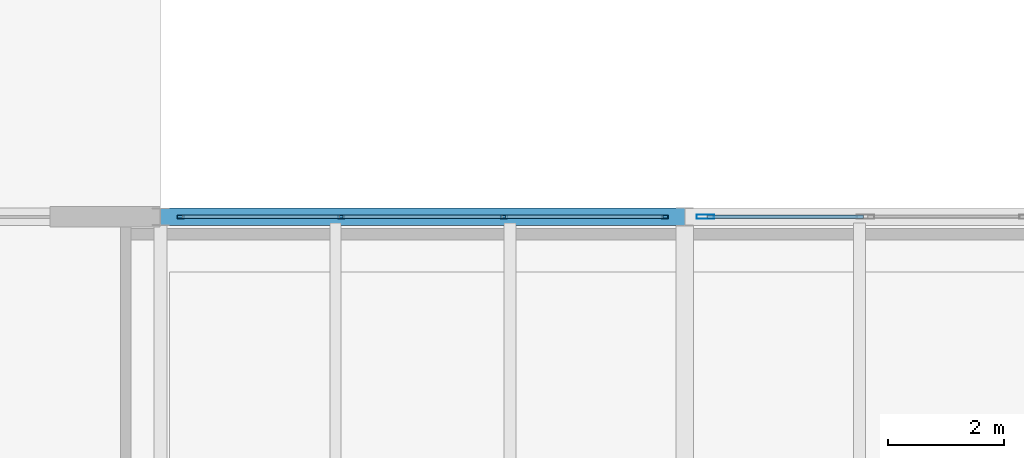
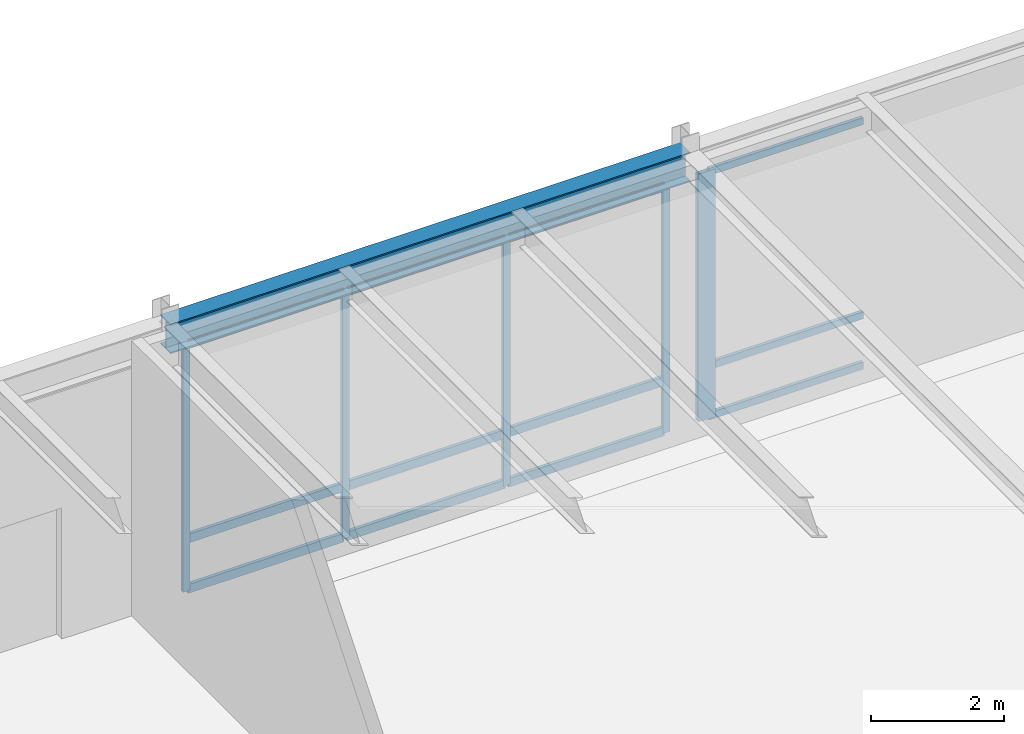
# One storey, part 65 of 143: 17 members, 1 beam, 2 elements without a shape of their own.
"""IFC4 building model written with IfcOpenShell, lengths in metres."""

from ifc_helpers import new_model, si_unit, direction, frame, origin, origin_2d, place, context, subcontext, project, spatial, hollow_rectangle, i_section, extrude, material, layer, layer_set, material_profile, profile_set, type_object, element, aggregate, save


model = new_model("IFC4")

# Units and contexts
model_context = context("Model", 3, precision=1e-05, world=origin(), true_north=direction((0.0, 1.0)))
body_context = subcontext(model_context, "Body", "Model", "MODEL_VIEW")
ifc_project = project(units=[si_unit("LENGTHUNIT", "METRE"), si_unit("AREAUNIT", "SQUARE_METRE"), si_unit("VOLUMEUNIT", "CUBIC_METRE"), si_unit("PLANEANGLEUNIT", "RADIAN"), si_unit("MASSUNIT", "GRAM", prefix="KILO")], contexts=[model_context])

# Site, building, storey
site_placement = place(None, origin())
site = spatial("IfcSite", under=ifc_project, at=site_placement, CompositionType="ELEMENT")
building_placement = place(site_placement, origin())
building = spatial("IfcBuilding", under=site, at=building_placement, Name="Montelvaro Courts of Justice", CompositionType="ELEMENT")
storey_placement = place(building_placement, origin())
storey = spatial("IfcBuildingStorey", under=building, at=storey_placement, Name="L00", CompositionType="ELEMENT", Elevation=0.0)

# Beam
ifc_material_1 = material(Name="Steel S355", Category="steel")
ifc_material_profile_1 = material_profile(ifc_material_1, i_section(OverallWidth=0.300048828125, OverallDepth=0.5400390625, WebThickness=0.012451171875, FlangeThickness=0.02392578125, at=origin_2d()), Name="HEA 550")
ifc_profile_set_1 = profile_set([ifc_material_profile_1], Name="Steel S355")
beam_type = type_object("IfcBeamType", Name="Beam_HEA550", PredefinedType="USERDEFINED", material=ifc_profile_set_1)
beam_placement = place(storey_placement, frame((36.0, 108.0, 4.81005859375), z_axis=(1.0, 0.0, 0.0), x_axis=(0.0, 1.0, 0.0)))
element("IfcBeam", 1, at=beam_placement, inside=storey, type_object=beam_type, Name="Beam B-20 L00", ObjectType="GIRDER", PredefinedType="USERDEFINED", context=body_context, shape_type="SweptSolid", body=[
    extrude(i_section(OverallWidth=0.300048828125, OverallDepth=0.5400390625, WebThickness=0.012451171875, FlangeThickness=0.02392578125, at=origin_2d()), origin(), (0.0, 0.0, 1.0), 9.0),
])

# Curtain wall, members
ifc_material_2 = material(Name="Anodised aluminium EN AW-6063", Category="aluminium")
ifc_layer = layer(ifc_material_2, 0.159912109375)
ifc_layer_set = layer_set([ifc_layer], Name="Anodised aluminium EN AW-6063")
curtain_wall_type = type_object("IfcCurtainWallType", Name="CurtainWall_05_837x508", PredefinedType="USERDEFINED", material=ifc_layer_set)
curtain_wall_1_placement = place(storey_placement, origin())
curtain_wall_1 = element("IfcCurtainWall", 2, at=curtain_wall_1_placement, inside=storey, type_object=curtain_wall_type, Name="Curtain Wall CW-05 (L00)", ObjectType="CURTAIN WALL", PredefinedType="USERDEFINED")
ifc_material_profile_2 = material_profile(ifc_material_2, hollow_rectangle(XDim=0.06005859375, YDim=0.1201171875, WallThickness=0.00341796875, at=origin_2d()), Name="ALU-M 60x120")
ifc_profile_set_2 = profile_set([ifc_material_profile_2], Name="Anodised aluminium EN AW-6063")
member_type_1 = type_object("IfcMemberType", Name="CurtainWall_Mullion_60x120", PredefinedType="MULLION", material=ifc_profile_set_2)
member_1_placement = place(storey_placement, frame((44.655029296875, 108.0, 0.0), z_axis=(0.0, 0.0, 1.0), x_axis=(0.0, -1.0, 0.0)))
member_1 = element("IfcMember", 3, at=member_1_placement, type_object=member_type_1, Name="CW-05 mullion 1", PredefinedType="MULLION", context=body_context, shape_type="SweptSolid", body=[
    extrude(hollow_rectangle(XDim=0.06005859375, YDim=0.1201171875, WallThickness=0.00341796875, at=origin_2d()), origin(), (0.0, 0.0, 1.0), 4.534912109375),
])
member_2_placement = place(storey_placement, frame((41.89501953125, 108.0, 0.0), z_axis=(0.0, 0.0, 1.0), x_axis=(0.0, -1.0, 0.0)))
member_2 = element("IfcMember", 4, at=member_2_placement, type_object=member_type_1, Name="CW-05 mullion 2", PredefinedType="MULLION", context=body_context, shape_type="SweptSolid", body=[
    extrude(hollow_rectangle(XDim=0.06005859375, YDim=0.1201171875, WallThickness=0.00341796875, at=origin_2d()), origin(), (0.0, 0.0, 1.0), 4.534912109375),
])
member_3_placement = place(storey_placement, frame((39.10498046875, 108.0, 0.0), z_axis=(0.0, 0.0, 1.0), x_axis=(0.0, -1.0, 0.0)))
member_3 = element("IfcMember", 5, at=member_3_placement, type_object=member_type_1, Name="CW-05 mullion 3", PredefinedType="MULLION", context=body_context, shape_type="SweptSolid", body=[
    extrude(hollow_rectangle(XDim=0.06005859375, YDim=0.1201171875, WallThickness=0.00341796875, at=origin_2d()), origin(), (0.0, 0.0, 1.0), 4.534912109375),
])
member_4_placement = place(storey_placement, frame((36.344970703125, 108.0, 0.0), z_axis=(0.0, 0.0, 1.0), x_axis=(0.0, -1.0, 0.0)))
member_4 = element("IfcMember", 6, at=member_4_placement, type_object=member_type_1, Name="CW-05 mullion 4", PredefinedType="MULLION", context=body_context, shape_type="SweptSolid", body=[
    extrude(hollow_rectangle(XDim=0.06005859375, YDim=0.1201171875, WallThickness=0.00341796875, at=origin_2d()), origin(), (0.0, 0.0, 1.0), 4.534912109375),
])

curtain_wall_2_placement = place(storey_placement, origin())
curtain_wall_2 = element("IfcCurtainWall", 7, at=curtain_wall_2_placement, inside=storey, type_object=curtain_wall_type, Name="Curtain Wall CW-05 (L00)", ObjectType="CURTAIN WALL", PredefinedType="USERDEFINED")
ifc_material_profile_3 = material_profile(ifc_material_2, hollow_rectangle(XDim=0.074951171875, YDim=0.300048828125, WallThickness=0.006103515625, at=origin_2d()), Name="ALU-M 75x300")
ifc_profile_set_3 = profile_set([ifc_material_profile_3], Name="Anodised aluminium EN AW-6063")
member_type_2 = type_object("IfcMemberType", Name="CurtainWall_Mullion_75x300", PredefinedType="MULLION", material=ifc_profile_set_3)
member_5_placement = place(storey_placement, frame((45.3525390625, 108.0, 0.0), z_axis=(0.0, 0.0, 1.0), x_axis=(0.0, -1.0, 0.0)))
member_5 = element("IfcMember", 8, at=member_5_placement, type_object=member_type_2, Name="CW-05 mullion 4", PredefinedType="MULLION", context=body_context, shape_type="SweptSolid", body=[
    extrude(hollow_rectangle(XDim=0.074951171875, YDim=0.300048828125, WallThickness=0.006103515625, at=origin_2d()), origin(), (0.0, 0.0, 1.0), 4.534912109375),
])
ifc_material_profile_4 = material_profile(ifc_material_2, hollow_rectangle(XDim=0.06005859375, YDim=0.1298828125, WallThickness=0.00390625, at=origin_2d()), Name="ALU-T 60x130")
ifc_profile_set_4 = profile_set([ifc_material_profile_4], Name="Anodised aluminium EN AW-6063")
member_type_3 = type_object("IfcMemberType", Name="CurtainWall_Transom_60x130", PredefinedType="USERDEFINED", material=ifc_profile_set_4)
member_6_placement = place(storey_placement, frame((48.0673828125, 108.0, 0.030029296875), z_axis=(-1.0, 0.0, 0.0), x_axis=(0.0, -1.0, 0.0)))
member_6 = element("IfcMember", 9, at=member_6_placement, type_object=member_type_3, Name="CW-05 transom 3.1", ObjectType="TRANSOM", PredefinedType="USERDEFINED", context=body_context, shape_type="SweptSolid", body=[
    extrude(hollow_rectangle(XDim=0.06005859375, YDim=0.1298828125, WallThickness=0.00390625, at=origin_2d()), origin(), (0.0, 0.0, 1.0), 2.677490234375),
])
member_7_placement = place(storey_placement, frame((48.0673828125, 108.0, 0.949951171875), z_axis=(-1.0, 0.0, 0.0), x_axis=(0.0, -1.0, 0.0)))
member_7 = element("IfcMember", 10, at=member_7_placement, type_object=member_type_3, Name="CW-05 transom 3.2", ObjectType="TRANSOM", PredefinedType="USERDEFINED", context=body_context, shape_type="SweptSolid", body=[
    extrude(hollow_rectangle(XDim=0.06005859375, YDim=0.1298828125, WallThickness=0.00390625, at=origin_2d()), origin(), (0.0, 0.0, 1.0), 2.677490234375),
])
member_8_placement = place(storey_placement, frame((48.0673828125, 108.0, 4.5048828125), z_axis=(-1.0, 0.0, 0.0), x_axis=(0.0, -1.0, 0.0)))
member_8 = element("IfcMember", 11, at=member_8_placement, type_object=member_type_3, Name="CW-05 transom 3.3", ObjectType="TRANSOM", PredefinedType="USERDEFINED", context=body_context, shape_type="SweptSolid", body=[
    extrude(hollow_rectangle(XDim=0.06005859375, YDim=0.1298828125, WallThickness=0.00390625, at=origin_2d()), origin(), (0.0, 0.0, 1.0), 2.677490234375),
])
aggregate(curtain_wall_2, [member_5, member_6, member_7, member_8])

# Member
ifc_material_profile_5 = material_profile(ifc_material_2, hollow_rectangle(XDim=0.06005859375, YDim=0.159912109375, WallThickness=0.00439453125, at=origin_2d()), Name="ALU-T 60x160")
ifc_profile_set_5 = profile_set([ifc_material_profile_5], Name="Anodised aluminium EN AW-6063")
member_type_4 = type_object("IfcMemberType", Name="CurtainWall_Transom_60x160", PredefinedType="USERDEFINED", material=ifc_profile_set_5)
member_9_placement = place(storey_placement, frame((44.625, 108.0, 0.030029296875), z_axis=(-1.0, 0.0, 0.0), x_axis=(0.0, -1.0, 0.0)))
member_9 = element("IfcMember", 12, at=member_9_placement, type_object=member_type_4, Name="CW-05 transom 1.1", ObjectType="TRANSOM", PredefinedType="USERDEFINED", context=body_context, shape_type="SweptSolid", body=[
    extrude(hollow_rectangle(XDim=0.06005859375, YDim=0.159912109375, WallThickness=0.00439453125, at=origin_2d()), origin(), (0.0, 0.0, 1.0), 2.699951171875),
])

member_10_placement = place(storey_placement, frame((44.625, 108.0, 0.949951171875), z_axis=(-1.0, 0.0, 0.0), x_axis=(0.0, -1.0, 0.0)))
member_10 = element("IfcMember", 13, at=member_10_placement, type_object=member_type_4, Name="CW-05 transom 1.2", ObjectType="TRANSOM", PredefinedType="USERDEFINED", context=body_context, shape_type="SweptSolid", body=[
    extrude(hollow_rectangle(XDim=0.06005859375, YDim=0.159912109375, WallThickness=0.00439453125, at=origin_2d()), origin(), (0.0, 0.0, 1.0), 2.699951171875),
])

member_11_placement = place(storey_placement, frame((44.625, 108.0, 4.5048828125), z_axis=(-1.0, 0.0, 0.0), x_axis=(0.0, -1.0, 0.0)))
member_11 = element("IfcMember", 14, at=member_11_placement, type_object=member_type_4, Name="CW-05 transom 1.3", ObjectType="TRANSOM", PredefinedType="USERDEFINED", context=body_context, shape_type="SweptSolid", body=[
    extrude(hollow_rectangle(XDim=0.06005859375, YDim=0.159912109375, WallThickness=0.00439453125, at=origin_2d()), origin(), (0.0, 0.0, 1.0), 2.699951171875),
])

member_12_placement = place(storey_placement, frame((41.864990234375, 108.0, 0.030029296875), z_axis=(-1.0, 0.0, 0.0), x_axis=(0.0, -1.0, 0.0)))
member_12 = element("IfcMember", 15, at=member_12_placement, type_object=member_type_4, Name="CW-05 transom 2.1", ObjectType="TRANSOM", PredefinedType="USERDEFINED", context=body_context, shape_type="SweptSolid", body=[
    extrude(hollow_rectangle(XDim=0.06005859375, YDim=0.159912109375, WallThickness=0.00439453125, at=origin_2d()), origin(), (0.0, 0.0, 1.0), 2.72998046875),
])

member_13_placement = place(storey_placement, frame((41.864990234375, 108.0, 0.949951171875), z_axis=(-1.0, 0.0, 0.0), x_axis=(0.0, -1.0, 0.0)))
member_13 = element("IfcMember", 16, at=member_13_placement, type_object=member_type_4, Name="CW-05 transom 2.2", ObjectType="TRANSOM", PredefinedType="USERDEFINED", context=body_context, shape_type="SweptSolid", body=[
    extrude(hollow_rectangle(XDim=0.06005859375, YDim=0.159912109375, WallThickness=0.00439453125, at=origin_2d()), origin(), (0.0, 0.0, 1.0), 2.72998046875),
])

member_14_placement = place(storey_placement, frame((41.864990234375, 108.0, 4.5048828125), z_axis=(-1.0, 0.0, 0.0), x_axis=(0.0, -1.0, 0.0)))
member_14 = element("IfcMember", 17, at=member_14_placement, type_object=member_type_4, Name="CW-05 transom 2.3", ObjectType="TRANSOM", PredefinedType="USERDEFINED", context=body_context, shape_type="SweptSolid", body=[
    extrude(hollow_rectangle(XDim=0.06005859375, YDim=0.159912109375, WallThickness=0.00439453125, at=origin_2d()), origin(), (0.0, 0.0, 1.0), 2.72998046875),
])

member_15_placement = place(storey_placement, frame((39.074951171875, 108.0, 0.030029296875), z_axis=(-1.0, 0.0, 0.0), x_axis=(0.0, -1.0, 0.0)))
member_15 = element("IfcMember", 18, at=member_15_placement, type_object=member_type_4, Name="CW-05 transom 3.1", ObjectType="TRANSOM", PredefinedType="USERDEFINED", context=body_context, shape_type="SweptSolid", body=[
    extrude(hollow_rectangle(XDim=0.06005859375, YDim=0.159912109375, WallThickness=0.00439453125, at=origin_2d()), origin(), (0.0, 0.0, 1.0), 2.699951171875),
])

member_16_placement = place(storey_placement, frame((39.074951171875, 108.0, 0.949951171875), z_axis=(-1.0, 0.0, 0.0), x_axis=(0.0, -1.0, 0.0)))
member_16 = element("IfcMember", 19, at=member_16_placement, type_object=member_type_4, Name="CW-05 transom 3.2", ObjectType="TRANSOM", PredefinedType="USERDEFINED", context=body_context, shape_type="SweptSolid", body=[
    extrude(hollow_rectangle(XDim=0.06005859375, YDim=0.159912109375, WallThickness=0.00439453125, at=origin_2d()), origin(), (0.0, 0.0, 1.0), 2.699951171875),
])

member_17_placement = place(storey_placement, frame((39.074951171875, 108.0, 4.5048828125), z_axis=(-1.0, 0.0, 0.0), x_axis=(0.0, -1.0, 0.0)))
member_17 = element("IfcMember", 20, at=member_17_placement, type_object=member_type_4, Name="CW-05 transom 3.3", ObjectType="TRANSOM", PredefinedType="USERDEFINED", context=body_context, shape_type="SweptSolid", body=[
    extrude(hollow_rectangle(XDim=0.06005859375, YDim=0.159912109375, WallThickness=0.00439453125, at=origin_2d()), origin(), (0.0, 0.0, 1.0), 2.699951171875),
])

aggregate(curtain_wall_1, [member_1, member_2, member_3, member_4, member_9, member_10, member_11, member_12, member_13, member_14, member_15, member_16, member_17])

save(model, "model.ifc")
